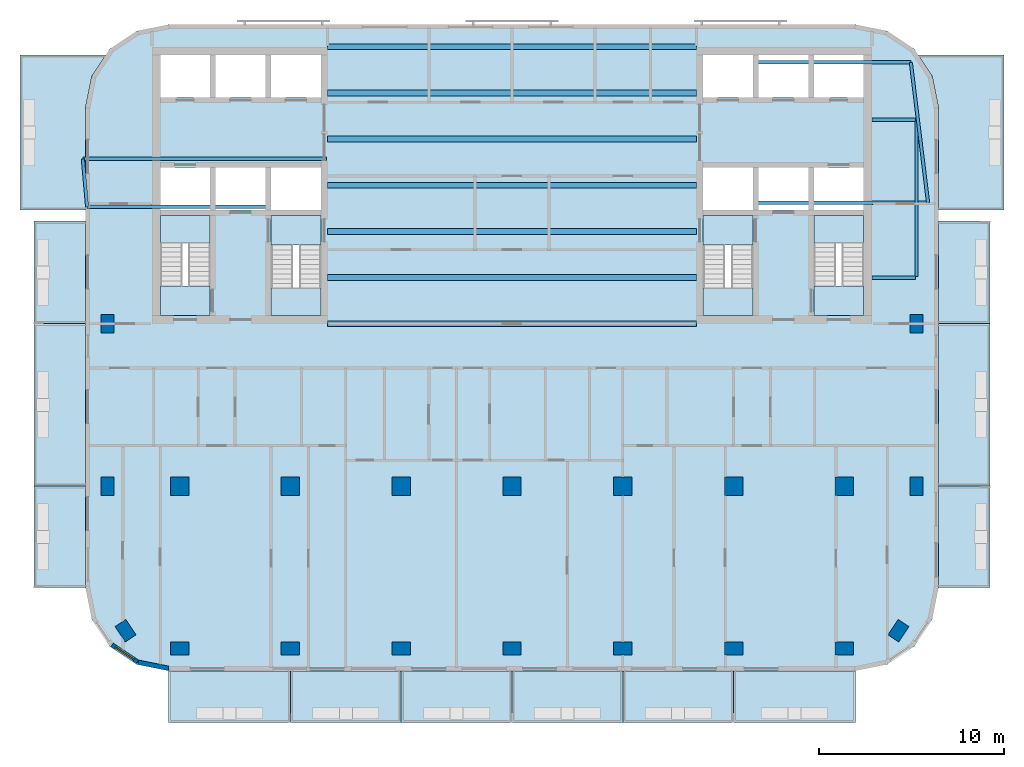
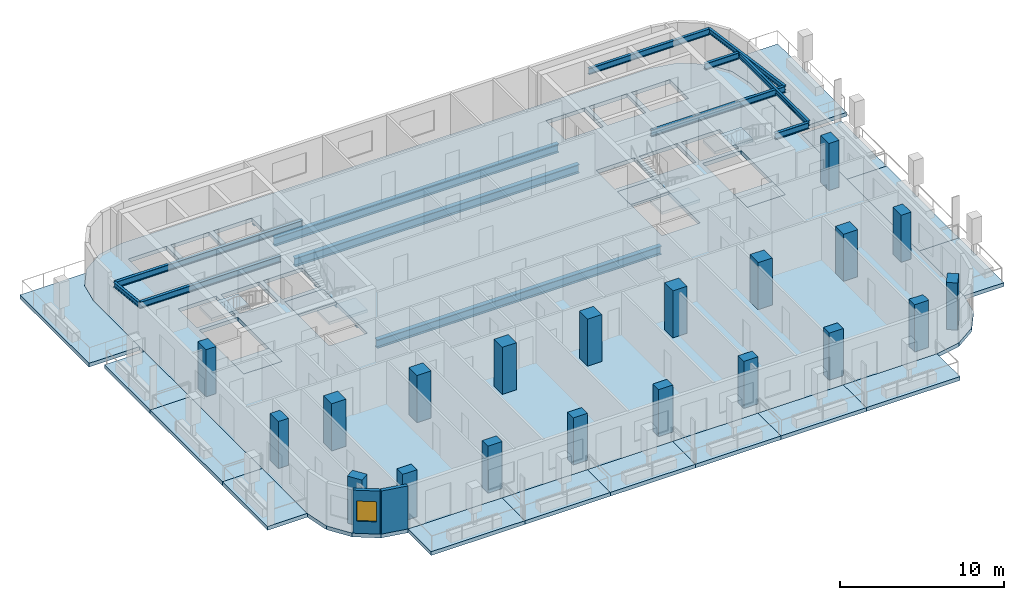
# One storey, part 1 of 11: 23 slabs, 20 columns, 16 beams, 2 walls, 1 window, 1 opening, 4 elements without a shape of their own.
"""IFC4 building model written with IfcOpenShell, lengths in metres."""

from ifc_helpers import new_model, si_unit, direction, frame, frame_2d, origin, origin_2d, place, context, subcontext, project, spatial, polyline, rectangle, i_section, outline, extrude, material, layer, layer_set, material_profile, profile_set, type_object, element, fill, aggregate, save


model = new_model("IFC4")

# Units and contexts
model_context = context("Model", 3, precision=1e-05, world=origin(), true_north=direction((0.0, 1.0)))
body_context = subcontext(model_context, "Body", "Model", "MODEL_VIEW")
ifc_project = project(units=[si_unit("LENGTHUNIT", "METRE"), si_unit("AREAUNIT", "SQUARE_METRE"), si_unit("VOLUMEUNIT", "CUBIC_METRE"), si_unit("PLANEANGLEUNIT", "RADIAN"), si_unit("MASSUNIT", "GRAM", prefix="KILO")], contexts=[model_context])

# Site, building, storey
site_placement = place(None, origin())
site = spatial("IfcSite", under=ifc_project, at=site_placement, CompositionType="ELEMENT")
building_placement = place(site_placement, origin())
building = spatial("IfcBuilding", under=site, at=building_placement, Name="Torana Hotel and Residences", CompositionType="ELEMENT")
storey_placement = place(building_placement, frame((0.0, 0.0, 305.10009765625)))
storey = spatial("IfcBuildingStorey", under=building, at=storey_placement, Name="L81", CompositionType="ELEMENT", Elevation=305.10009765625)

# Columns
ifc_material_1 = material(Name="Concrete C50/60", Category="concrete")
ifc_material_profile_1 = material_profile(ifc_material_1, rectangle(XDim=1.0, YDim=1.0, at=origin_2d()), Name="RC 1000x1000")
ifc_profile_set_1 = profile_set([ifc_material_profile_1], Name="Concrete C50/60")
column_type_1 = type_object("IfcColumnType", Name="COLUMN RC 1000x1000 C50/60", PredefinedType="COLUMN", material=ifc_profile_set_1)
for number, where, z_axis, x_axis, name in (
    (1, (-18.0, -23.800048828125, 0.0), (0.0, 0.0, 1.0), (1.0, 0.0, 0.0), "Column L81"),
    (2, (-12.0, -23.800048828125, 0.0), (0.0, 0.0, 1.0), (1.0, 0.0, 0.0), "Column L81"),
    (3, (-6.0, -23.800048828125, 0.0), (0.0, 0.0, 1.0), (1.0, 0.0, 0.0), "Column L81"),
    (4, (0.0, -23.800048828125, 0.0), (0.0, 0.0, 1.0), (1.0, 0.0, 0.0), "Column L81"),
    (5, (6.0, -23.800048828125, 0.0), (0.0, 0.0, 1.0), (1.0, 0.0, 0.0), "Column L81"),
    (6, (12.0, -23.800048828125, 0.0), (0.0, 0.0, 1.0), (1.0, 0.0, 0.0), "Column L81"),
    (7, (18.0, -23.800048828125, 0.0), (0.0, 0.0, 1.0), (1.0, 0.0, 0.0), "Column L81"),
):
    element("IfcColumn", number, at=place(storey_placement, frame(where, z_axis=z_axis, x_axis=x_axis)), inside=storey, type_object=column_type_1, Name=name, PredefinedType="COLUMN", context=body_context, shape_type="SweptSolid", body=[
        extrude(rectangle(XDim=1.0, YDim=1.0, at=origin_2d()), origin(), (0.0, 0.0, 1.0), 3.5),
    ])
ifc_material_2 = material(Name="Concrete C50/60", Category="concrete")
ifc_material_profile_2 = material_profile(ifc_material_2, rectangle(XDim=1.0, YDim=0.699951171875, at=origin_2d()), Name="RC 1000x700")
ifc_profile_set_2 = profile_set([ifc_material_profile_2], Name="Concrete C50/60")
column_type_2 = type_object("IfcColumnType", Name="COLUMN RC 1000x700 C50/60", PredefinedType="COLUMN", material=ifc_profile_set_2)
for number, where, z_axis, x_axis, name in (
    (8, (-21.89990234375, -23.800048828125, 0.0), (0.0, 0.0, 1.0), (0.0, 1.0, 0.0), "Column L81"),
    (9, (-21.89990234375, -15.0, 0.0), (0.0, 0.0, 1.0), (0.0, 1.0, 0.0), "Column L81"),
    (10, (-20.93310546875, -31.633056640625, 0.0), (0.0, 0.0, 1.0), (-0.555584744817, 0.831459915646, 0.0), "Column L81"),
    (11, (-18.0, -32.60009765625, 0.0), (0.0, 0.0, 1.0), (1.0, 0.0, 0.0), "Column L81"),
    (12, (-12.0, -32.60009765625, 0.0), (0.0, 0.0, 1.0), (1.0, 0.0, 0.0), "Column L81"),
    (13, (-6.0, -32.60009765625, 0.0), (0.0, 0.0, 1.0), (1.0, 0.0, 0.0), "Column L81"),
    (14, (0.0, -32.60009765625, 0.0), (0.0, 0.0, 1.0), (1.0, 0.0, 0.0), "Column L81"),
    (15, (6.0, -32.60009765625, 0.0), (0.0, 0.0, 1.0), (1.0, 0.0, 0.0), "Column L81"),
    (16, (12.0, -32.60009765625, 0.0), (0.0, 0.0, 1.0), (1.0, 0.0, 0.0), "Column L81"),
    (17, (18.0, -32.60009765625, 0.0), (0.0, 0.0, 1.0), (1.0, 0.0, 0.0), "Column L81"),
    (18, (20.93310546875, -31.633056640625, 0.0), (0.0, 0.0, 1.0), (0.555584744817, 0.831459915646, 0.0), "Column L81"),
    (19, (21.89990234375, -23.800048828125, 0.0), (0.0, 0.0, 1.0), (0.0, 1.0, 0.0), "Column L81"),
    (20, (21.89990234375, -15.0, 0.0), (0.0, 0.0, 1.0), (0.0, 1.0, 0.0), "Column L81"),
):
    element("IfcColumn", number, at=place(storey_placement, frame(where, z_axis=z_axis, x_axis=x_axis)), inside=storey, type_object=column_type_2, Name=name, PredefinedType="COLUMN", context=body_context, shape_type="SweptSolid", body=[
        extrude(rectangle(XDim=1.0, YDim=0.699951171875, at=origin_2d()), origin(), (0.0, 0.0, 1.0), 3.5),
    ])

# Beams
ifc_material_3 = material(Name="Steel S355", Category="steel")
ifc_material_profile_3 = material_profile(ifc_material_3, i_section(OverallWidth=0.19287109375, OverallDepth=0.46728515625, WebThickness=0.011474609375, FlangeThickness=0.01953125, FilletRadius=0.01025390625, at=origin_2d()), Name="457x191x98 UB")
ifc_profile_set_3 = profile_set([ifc_material_profile_3], Name="Steel S355")
beam_type_1 = type_object("IfcBeamType", Name="BALCONY CANTILEVER BEAM 457x191x98 UB", PredefinedType="BEAM", material=ifc_profile_set_3)
beam_1_placement = place(storey_placement, frame((-23.013916015625, -8.669921875, 2.96630859375), z_axis=(1.0, 0.0, 0.0), x_axis=(0.0, 1.0, 0.0)))
element("IfcBeam", 21, at=beam_1_placement, inside=storey, type_object=beam_type_1, Name="Balcony cantilever beam", PredefinedType="BEAM", context=body_context, shape_type="SweptSolid", body=[
    extrude(i_section(OverallWidth=0.19287109375, OverallDepth=0.46728515625, WebThickness=0.011474609375, FlangeThickness=0.01953125, FilletRadius=0.01025390625, at=origin_2d()), origin(), (0.0, 0.0, 1.0), 9.913818359375),
])
beam_2_placement = place(storey_placement, frame((-23.2451171875, -6.070068359375, 2.96630859375), z_axis=(1.0, 0.0, 0.0), x_axis=(0.0, 1.0, 0.0)))
element("IfcBeam", 22, at=beam_2_placement, inside=storey, type_object=beam_type_1, Name="Balcony cantilever beam", PredefinedType="BEAM", context=body_context, shape_type="SweptSolid", body=[
    extrude(i_section(OverallWidth=0.19287109375, OverallDepth=0.46728515625, WebThickness=0.011474609375, FlangeThickness=0.01953125, FilletRadius=0.01025390625, at=origin_2d()), origin(), (0.0, 0.0, 1.0), 13.195068359375),
])
beam_3_placement = place(storey_placement, frame((22.537353515625, -8.449951171875, 2.96630859375), z_axis=(-1.0, 0.0, 0.0), x_axis=(0.0, -1.0, 0.0)))
element("IfcBeam", 23, at=beam_3_placement, inside=storey, type_object=beam_type_1, Name="Balcony cantilever beam", PredefinedType="BEAM", context=body_context, shape_type="SweptSolid", body=[
    extrude(i_section(OverallWidth=0.19287109375, OverallDepth=0.46728515625, WebThickness=0.011474609375, FlangeThickness=0.01953125, FilletRadius=0.01025390625, at=origin_2d()), origin(), (0.0, 0.0, 1.0), 9.437255859375),
])
beam_4_placement = place(storey_placement, frame((21.60400390625, -0.85009765625, 2.96630859375), z_axis=(-1.0, 0.0, 0.0), x_axis=(0.0, -1.0, 0.0)))
element("IfcBeam", 24, at=beam_4_placement, inside=storey, type_object=beam_type_1, Name="Balcony cantilever beam", PredefinedType="BEAM", context=body_context, shape_type="SweptSolid", body=[
    extrude(i_section(OverallWidth=0.19287109375, OverallDepth=0.46728515625, WebThickness=0.011474609375, FlangeThickness=0.01953125, FilletRadius=0.01025390625, at=origin_2d()), origin(), (0.0, 0.0, 1.0), 8.50390625),
])
for number, where, z_axis, x_axis, name in (
    (25, (19.489990234375, -12.50244140625, 2.96630859375), (1.0, 0.0, 0.0), (0.0, 1.0, 0.0), "Balcony cantilever beam"),
    (26, (19.489990234375, -3.949951171875, 2.96630859375), (1.0, 0.0, 0.0), (0.0, 1.0, 0.0), "Balcony cantilever beam"),
):
    element("IfcBeam", number, at=place(storey_placement, frame(where, z_axis=z_axis, x_axis=x_axis)), inside=storey, type_object=beam_type_1, Name=name, PredefinedType="BEAM", context=body_context, shape_type="SweptSolid", body=[
        extrude(i_section(OverallWidth=0.19287109375, OverallDepth=0.46728515625, WebThickness=0.011474609375, FlangeThickness=0.01953125, FilletRadius=0.01025390625, at=origin_2d()), origin(), (0.0, 0.0, 1.0), 2.364013671875),
    ])
ifc_material_4 = material(Name="Steel S355", Category="steel")
ifc_material_profile_4 = material_profile(ifc_material_4, i_section(OverallWidth=0.173095703125, OverallDepth=0.36328125, WebThickness=0.009033203125, FlangeThickness=0.015625, FilletRadius=0.01025390625, at=origin_2d()), Name="356x171x67 UB")
ifc_profile_set_4 = profile_set([ifc_material_profile_4], Name="Steel S355")
beam_type_2 = type_object("IfcBeamType", Name="BALCONY TIP BEAM 356x171x67 UB", PredefinedType="BEAM", material=ifc_profile_set_4)
beam_5_placement = place(storey_placement, frame((-23.013916015625, -8.669921875, 3.018310546875), z_axis=(-0.088578973765, 0.99606915694, 0.0), x_axis=(-0.99606915694, -0.088578973765, 0.0)))
element("IfcBeam", 27, at=beam_5_placement, inside=storey, type_object=beam_type_2, Name="Balcony tip beam", PredefinedType="BEAM", context=body_context, shape_type="SweptSolid", body=[
    extrude(i_section(OverallWidth=0.173095703125, OverallDepth=0.36328125, WebThickness=0.009033203125, FlangeThickness=0.015625, FilletRadius=0.01025390625, at=origin_2d()), origin(), (0.0, 0.0, 1.0), 2.610107421875),
])
beam_6_placement = place(storey_placement, frame((22.537353515625, -8.449951171875, 3.018310546875), z_axis=(-0.1218957101, 0.992542913863, 0.0), x_axis=(-0.992542913863, -0.1218957101, 0.0)))
element("IfcBeam", 28, at=beam_6_placement, inside=storey, type_object=beam_type_2, Name="Balcony tip beam", PredefinedType="BEAM", context=body_context, shape_type="SweptSolid", body=[
    extrude(i_section(OverallWidth=0.173095703125, OverallDepth=0.36328125, WebThickness=0.009033203125, FlangeThickness=0.015625, FilletRadius=0.01025390625, at=origin_2d()), origin(), (0.0, 0.0, 1.0), 7.656982421875),
])
beam_7_placement = place(storey_placement, frame((21.91064453125, -12.43603515625, 3.018310546875), z_axis=(0.0, 1.0, 0.0), x_axis=(-1.0, 0.0, 0.0)))
element("IfcBeam", 29, at=beam_7_placement, inside=storey, type_object=beam_type_2, Name="Balcony tip beam", PredefinedType="BEAM", context=body_context, shape_type="SweptSolid", body=[
    extrude(i_section(OverallWidth=0.173095703125, OverallDepth=0.36328125, WebThickness=0.009033203125, FlangeThickness=0.015625, FilletRadius=0.01025390625, at=origin_2d()), origin(), (0.0, 0.0, 1.0), 8.419677734375),
])
ifc_material_5 = material(Name="Steel S355", Category="steel")
ifc_material_profile_5 = material_profile(ifc_material_5, i_section(OverallWidth=0.311279296875, OverallDepth=0.6357421875, WebThickness=0.018310546875, FlangeThickness=0.031494140625, FilletRadius=0.0166015625, at=origin_2d()), Name="610x305x238 UB")
ifc_profile_set_5 = profile_set([ifc_material_profile_5], Name="Steel S355")
beam_type_3 = type_object("IfcBeamType", Name="STEEL GIRDER 610x305x238 UB", PredefinedType="BEAM", material=ifc_profile_set_5)
for number, where, z_axis, x_axis, name in (
    (30, (-10.0, -15.0, -0.597900390625), (1.0, 0.0, 0.0), (0.0, 1.0, 0.0), "Floor girder"),
    (31, (-10.0, -12.5, -0.597900390625), (1.0, 0.0, 0.0), (0.0, 1.0, 0.0), "Floor girder"),
    (32, (-10.0, -10.0, -0.597900390625), (1.0, 0.0, 0.0), (0.0, 1.0, 0.0), "Floor girder"),
    (33, (-10.0, -7.5, -0.597900390625), (1.0, 0.0, 0.0), (0.0, 1.0, 0.0), "Floor girder"),
    (34, (-10.0, -5.0, -0.597900390625), (1.0, 0.0, 0.0), (0.0, 1.0, 0.0), "Floor girder"),
    (35, (-10.0, -2.5, -0.597900390625), (1.0, 0.0, 0.0), (0.0, 1.0, 0.0), "Floor girder"),
    (36, (-10.0, 0.0, -0.597900390625), (1.0, 0.0, 0.0), (0.0, 1.0, 0.0), "Floor girder"),
):
    element("IfcBeam", number, at=place(storey_placement, frame(where, z_axis=z_axis, x_axis=x_axis)), inside=storey, type_object=beam_type_3, Name=name, PredefinedType="BEAM", context=body_context, shape_type="SweptSolid", body=[
        extrude(i_section(OverallWidth=0.311279296875, OverallDepth=0.6357421875, WebThickness=0.018310546875, FlangeThickness=0.031494140625, FilletRadius=0.0166015625, at=origin_2d()), origin(), (0.0, 0.0, 1.0), 20.0),
    ])

# Slabs
ifc_material_6 = material(Name="Concrete C40/50", Category="concrete")
ifc_layer_1 = layer(ifc_material_6, 0.280029296875)
ifc_layer_set_1 = layer_set([ifc_layer_1], Name="BAL1 BALCONY SLAB 280")
slab_type_1 = type_object("IfcSlabType", Name="BAL1 BALCONY SLAB 280", PredefinedType="USERDEFINED", material=ifc_layer_set_1)
slab_1_placement = place(storey_placement, frame((0.0, 0.0, -0.280029296875)))
element("IfcSlab", 37, at=slab_1_placement, inside=storey, type_object=slab_type_1, Name="Balcony 01", ObjectType="BALCONY", PredefinedType="USERDEFINED", context=body_context, shape_type="SweptSolid", body=[
    extrude(outline(polyline([(-18.60009765625, -36.60009765625), (-12.0, -36.60009765625), (-12.0, -33.800048828125), (-18.60009765625, -33.800048828125), (-18.60009765625, -36.60009765625)])), origin(), (0.0, 0.0, 1.0), 0.280029296875),
])
slab_2_placement = place(storey_placement, frame((0.0, 0.0, -0.280029296875)))
element("IfcSlab", 38, at=slab_2_placement, inside=storey, type_object=slab_type_1, Name="Balcony 02", ObjectType="BALCONY", PredefinedType="USERDEFINED", context=body_context, shape_type="SweptSolid", body=[
    extrude(outline(polyline([(-12.0, -36.60009765625), (-6.0, -36.60009765625), (-6.0, -33.800048828125), (-12.0, -33.800048828125), (-12.0, -36.60009765625)])), origin(), (0.0, 0.0, 1.0), 0.280029296875),
])
slab_3_placement = place(storey_placement, frame((0.0, 0.0, -0.280029296875)))
element("IfcSlab", 39, at=slab_3_placement, inside=storey, type_object=slab_type_1, Name="Balcony 03", ObjectType="BALCONY", PredefinedType="USERDEFINED", context=body_context, shape_type="SweptSolid", body=[
    extrude(outline(polyline([(-6.0, -36.60009765625), (0.0, -36.60009765625), (0.0, -33.800048828125), (-6.0, -33.800048828125), (-6.0, -36.60009765625)])), origin(), (0.0, 0.0, 1.0), 0.280029296875),
])
slab_4_placement = place(storey_placement, frame((0.0, 0.0, -0.280029296875)))
element("IfcSlab", 40, at=slab_4_placement, inside=storey, type_object=slab_type_1, Name="Balcony 04", ObjectType="BALCONY", PredefinedType="USERDEFINED", context=body_context, shape_type="SweptSolid", body=[
    extrude(outline(polyline([(0.0, -36.60009765625), (6.0, -36.60009765625), (6.0, -33.800048828125), (0.0, -33.800048828125), (0.0, -36.60009765625)])), origin(), (0.0, 0.0, 1.0), 0.280029296875),
])
slab_5_placement = place(storey_placement, frame((0.0, 0.0, -0.280029296875)))
element("IfcSlab", 41, at=slab_5_placement, inside=storey, type_object=slab_type_1, Name="Balcony 05", ObjectType="BALCONY", PredefinedType="USERDEFINED", context=body_context, shape_type="SweptSolid", body=[
    extrude(outline(polyline([(6.0, -36.60009765625), (12.0, -36.60009765625), (12.0, -33.800048828125), (6.0, -33.800048828125), (6.0, -36.60009765625)])), origin(), (0.0, 0.0, 1.0), 0.280029296875),
])
slab_6_placement = place(storey_placement, frame((0.0, 0.0, -0.280029296875)))
element("IfcSlab", 42, at=slab_6_placement, inside=storey, type_object=slab_type_1, Name="Balcony 06", ObjectType="BALCONY", PredefinedType="USERDEFINED", context=body_context, shape_type="SweptSolid", body=[
    extrude(outline(polyline([(12.0, -36.60009765625), (18.60009765625, -36.60009765625), (18.60009765625, -33.800048828125), (12.0, -33.800048828125), (12.0, -36.60009765625)])), origin(), (0.0, 0.0, 1.0), 0.280029296875),
])
slab_7_placement = place(storey_placement, frame((0.0, 0.0, -0.280029296875)))
element("IfcSlab", 43, at=slab_7_placement, inside=storey, type_object=slab_type_1, Name="Balcony 07", ObjectType="BALCONY", PredefinedType="USERDEFINED", context=body_context, shape_type="SweptSolid", body=[
    extrude(outline(polyline([(-25.89990234375, -29.300048828125), (-23.10009765625, -29.300048828125), (-23.10009765625, -23.800048828125), (-25.89990234375, -23.800048828125), (-25.89990234375, -29.300048828125)])), origin(), (0.0, 0.0, 1.0), 0.280029296875),
])
slab_8_placement = place(storey_placement, frame((0.0, 0.0, -0.280029296875)))
element("IfcSlab", 44, at=slab_8_placement, inside=storey, type_object=slab_type_1, Name="Balcony 08", ObjectType="BALCONY", PredefinedType="USERDEFINED", context=body_context, shape_type="SweptSolid", body=[
    extrude(outline(polyline([(-25.89990234375, -23.800048828125), (-23.10009765625, -23.800048828125), (-23.10009765625, -15.0), (-25.89990234375, -15.0), (-25.89990234375, -23.800048828125)])), origin(), (0.0, 0.0, 1.0), 0.280029296875),
])
slab_9_placement = place(storey_placement, frame((0.0, 0.0, -0.280029296875)))
element("IfcSlab", 45, at=slab_9_placement, inside=storey, type_object=slab_type_1, Name="Balcony 09", ObjectType="BALCONY", PredefinedType="USERDEFINED", context=body_context, shape_type="SweptSolid", body=[
    extrude(outline(polyline([(-25.89990234375, -15.0), (-23.10009765625, -15.0), (-23.10009765625, -9.449951171875), (-25.89990234375, -9.449951171875), (-25.89990234375, -15.0)])), origin(), (0.0, 0.0, 1.0), 0.280029296875),
])
slab_10_placement = place(storey_placement, frame((0.0, 0.0, -0.280029296875)))
element("IfcSlab", 46, at=slab_10_placement, inside=storey, type_object=slab_type_1, Name="Balcony 10", ObjectType="BALCONY", PredefinedType="USERDEFINED", context=body_context, shape_type="SweptSolid", body=[
    extrude(outline(polyline([(-26.64990234375, -8.85009765625), (-23.10009765625, -8.85009765625), (-23.10009765625, -3.300048828125), (-22.757568359375, -1.577880859375), (-22.00390625, -0.449951171875), (-26.64990234375, -0.449951171875), (-26.64990234375, -8.85009765625)])), origin(), (0.0, 0.0, 1.0), 0.280029296875),
])
slab_11_placement = place(storey_placement, frame((0.0, 0.0, -0.280029296875)))
element("IfcSlab", 47, at=slab_11_placement, inside=storey, type_object=slab_type_1, Name="Balcony 11", ObjectType="BALCONY", PredefinedType="USERDEFINED", context=body_context, shape_type="SweptSolid", body=[
    extrude(outline(polyline([(23.10009765625, -29.300048828125), (25.89990234375, -29.300048828125), (25.89990234375, -23.800048828125), (23.10009765625, -23.800048828125), (23.10009765625, -29.300048828125)])), origin(), (0.0, 0.0, 1.0), 0.280029296875),
])
slab_12_placement = place(storey_placement, frame((0.0, 0.0, -0.280029296875)))
element("IfcSlab", 48, at=slab_12_placement, inside=storey, type_object=slab_type_1, Name="Balcony 12", ObjectType="BALCONY", PredefinedType="USERDEFINED", context=body_context, shape_type="SweptSolid", body=[
    extrude(outline(polyline([(23.10009765625, -23.800048828125), (25.89990234375, -23.800048828125), (25.89990234375, -15.0), (23.10009765625, -15.0), (23.10009765625, -23.800048828125)])), origin(), (0.0, 0.0, 1.0), 0.280029296875),
])
slab_13_placement = place(storey_placement, frame((0.0, 0.0, -0.280029296875)))
element("IfcSlab", 49, at=slab_13_placement, inside=storey, type_object=slab_type_1, Name="Balcony 13", ObjectType="BALCONY", PredefinedType="USERDEFINED", context=body_context, shape_type="SweptSolid", body=[
    extrude(outline(polyline([(23.10009765625, -15.0), (25.89990234375, -15.0), (25.89990234375, -9.449951171875), (23.10009765625, -9.449951171875), (23.10009765625, -15.0)])), origin(), (0.0, 0.0, 1.0), 0.280029296875),
])
slab_14_placement = place(storey_placement, frame((0.0, 0.0, -0.280029296875)))
element("IfcSlab", 50, at=slab_14_placement, inside=storey, type_object=slab_type_1, Name="Balcony 14", ObjectType="BALCONY", PredefinedType="USERDEFINED", context=body_context, shape_type="SweptSolid", body=[
    extrude(outline(polyline([(23.10009765625, -8.85009765625), (26.64990234375, -8.85009765625), (26.64990234375, -0.449951171875), (22.00390625, -0.449951171875), (22.757568359375, -1.577880859375), (23.10009765625, -3.300048828125), (23.10009765625, -8.85009765625)])), origin(), (0.0, 0.0, 1.0), 0.280029296875),
])
ifc_material_7 = material(Name="Concrete C40/50", Category="concrete")
ifc_layer_2 = layer(ifc_material_7, 0.280029296875)
ifc_layer_set_2 = layer_set([ifc_layer_2], Name="FLOOR SLAB PT 280")
slab_type_2 = type_object("IfcSlabType", Name="FLOOR SLAB PT 280", PredefinedType="FLOOR", material=ifc_layer_set_2)
slab_15_placement = place(storey_placement, frame((0.0, 0.0, -0.280029296875)))
element("IfcSlab", 51, at=slab_15_placement, inside=storey, type_object=slab_type_2, Name="Floor slab", PredefinedType="FLOOR", context=body_context, shape_type="SweptSolid", body=[
    extrude(outline(polyline([(23.10009765625, -3.300048828125), (22.757568359375, -1.577880859375), (21.781982421875, -0.117919921875), (20.322021484375, 0.857421875), (18.60009765625, 1.199951171875), (-18.60009765625, 1.199951171875), (-20.322021484375, 0.857421875), (-21.781982421875, -0.117919921875), (-22.757568359375, -1.577880859375), (-23.10009765625, -3.300048828125), (-23.10009765625, -29.300048828125), (-22.757568359375, -31.022216796875), (-21.781982421875, -32.48193359375), (-20.322021484375, -33.45751953125), (-18.60009765625, -33.800048828125), (18.60009765625, -33.800048828125), (20.322021484375, -33.45751953125), (21.781982421875, -32.48193359375), (22.757568359375, -31.022216796875), (23.10009765625, -29.300048828125), (23.10009765625, -3.300048828125)]), holes=[polyline([(-13.050048828125, -14.550048828125), (-10.35009765625, -14.550048828125), (-10.35009765625, -9.14990234375), (-13.050048828125, -9.14990234375), (-13.050048828125, -14.550048828125)]), polyline([(-19.050048828125, -14.550048828125), (-16.35009765625, -14.550048828125), (-16.35009765625, -9.14990234375), (-19.050048828125, -9.14990234375), (-19.050048828125, -14.550048828125)]), polyline([(-19.050048828125, -2.75), (-16.35009765625, -2.75), (-16.35009765625, -0.449951171875), (-19.050048828125, -0.449951171875), (-19.050048828125, -2.75)]), polyline([(-13.050048828125, -2.75), (-10.35009765625, -2.75), (-10.35009765625, -0.449951171875), (-13.050048828125, -0.449951171875), (-13.050048828125, -2.75)]), polyline([(-16.050048828125, -2.75), (-13.35009765625, -2.75), (-13.35009765625, -0.449951171875), (-16.050048828125, -0.449951171875), (-16.050048828125, -2.75)]), polyline([(-13.050048828125, -8.85009765625), (-10.35009765625, -8.85009765625), (-10.35009765625, -6.550048828125), (-13.050048828125, -6.550048828125), (-13.050048828125, -8.85009765625)]), polyline([(-16.050048828125, -8.85009765625), (-13.35009765625, -8.85009765625), (-13.35009765625, -6.550048828125), (-16.050048828125, -6.550048828125), (-16.050048828125, -8.85009765625)]), polyline([(-19.050048828125, -8.85009765625), (-16.35009765625, -8.85009765625), (-16.35009765625, -6.550048828125), (-19.050048828125, -6.550048828125), (-19.050048828125, -8.85009765625)]), polyline([(10.35009765625, -14.550048828125), (13.050048828125, -14.550048828125), (13.050048828125, -9.14990234375), (10.35009765625, -9.14990234375), (10.35009765625, -14.550048828125)]), polyline([(16.35009765625, -14.550048828125), (19.050048828125, -14.550048828125), (19.050048828125, -9.14990234375), (16.35009765625, -9.14990234375), (16.35009765625, -14.550048828125)]), polyline([(16.35009765625, -2.75), (19.050048828125, -2.75), (19.050048828125, -0.449951171875), (16.35009765625, -0.449951171875), (16.35009765625, -2.75)]), polyline([(10.35009765625, -2.75), (13.050048828125, -2.75), (13.050048828125, -0.449951171875), (10.35009765625, -0.449951171875), (10.35009765625, -2.75)]), polyline([(13.35009765625, -2.75), (16.050048828125, -2.75), (16.050048828125, -0.449951171875), (13.35009765625, -0.449951171875), (13.35009765625, -2.75)]), polyline([(10.35009765625, -8.85009765625), (13.050048828125, -8.85009765625), (13.050048828125, -6.550048828125), (10.35009765625, -6.550048828125), (10.35009765625, -8.85009765625)]), polyline([(13.35009765625, -8.85009765625), (16.050048828125, -8.85009765625), (16.050048828125, -6.550048828125), (13.35009765625, -6.550048828125), (13.35009765625, -8.85009765625)]), polyline([(16.35009765625, -8.85009765625), (19.050048828125, -8.85009765625), (19.050048828125, -6.550048828125), (16.35009765625, -6.550048828125), (16.35009765625, -8.85009765625)])]), origin(), (0.0, 0.0, 1.0), 0.280029296875),
])

# Stair, slabs
ifc_material_8 = material(Name="Concrete C40/50 precast", Category="concrete")
stair_type_1 = type_object("IfcStairType", Name="STAIR ST1 HALF TURN 1200", PredefinedType="HALF_TURN_STAIR", material=ifc_material_8)
stair_1_placement = place(storey_placement, origin())
stair_1 = element("IfcStair", 52, at=stair_1_placement, inside=storey, type_object=stair_type_1, Name="Stair ST1 L81", PredefinedType="HALF_TURN_STAIR")
ifc_material_9 = material(Name="Concrete C40/50 precast", Category="concrete")
ifc_layer_3 = layer(ifc_material_9, 0.199951171875)
ifc_layer_set_3 = layer_set([ifc_layer_3], Name="STAIR LANDING 200")
slab_type_3 = type_object("IfcSlabType", Name="STAIR LANDING 200", PredefinedType="LANDING", material=ifc_layer_set_3)
slab_16_placement = place(storey_placement, frame((0.0, 0.0, 1.5498046875)))
slab_16 = element("IfcSlab", 53, at=slab_16_placement, type_object=slab_type_3, Name="ST1 landing 1", PredefinedType="LANDING", context=body_context, shape_type="SweptSolid", body=[
    extrude(outline(polyline([(-13.050048828125, -14.550048828125), (-10.35009765625, -14.550048828125), (-10.35009765625, -13.090087890625), (-13.050048828125, -13.090087890625), (-13.050048828125, -14.550048828125)])), origin(), (0.0, 0.0, 1.0), 0.2001953125),
])
slab_17_placement = place(storey_placement, frame((0.0, 0.0, -0.2001953125)))
slab_17 = element("IfcSlab", 54, at=slab_17_placement, type_object=slab_type_3, Name="ST1 landing 2", PredefinedType="LANDING", context=body_context, shape_type="SweptSolid", body=[
    extrude(outline(polyline([(-13.050048828125, -10.75), (-10.35009765625, -10.75), (-10.35009765625, -9.14990234375), (-13.050048828125, -9.14990234375), (-13.050048828125, -10.75)])), origin(), (0.0, 0.0, 1.0), 0.2001953125),
])
aggregate(stair_1, [slab_16, slab_17])

ifc_material_10 = material(Name="Concrete C40/50 precast", Category="concrete")
stair_type_2 = type_object("IfcStairType", Name="STAIR ST2 HALF TURN 1200", PredefinedType="HALF_TURN_STAIR", material=ifc_material_10)
stair_2_placement = place(storey_placement, origin())
stair_2 = element("IfcStair", 55, at=stair_2_placement, inside=storey, type_object=stair_type_2, Name="Stair ST2 L81", PredefinedType="HALF_TURN_STAIR")
slab_18_placement = place(storey_placement, frame((0.0, 0.0, 1.5498046875)))
slab_18 = element("IfcSlab", 56, at=slab_18_placement, type_object=slab_type_3, Name="ST2 landing 1", PredefinedType="LANDING", context=body_context, shape_type="SweptSolid", body=[
    extrude(outline(polyline([(-19.050048828125, -10.610107421875), (-16.35009765625, -10.610107421875), (-16.35009765625, -9.14990234375), (-19.050048828125, -9.14990234375), (-19.050048828125, -10.610107421875)])), origin(), (0.0, 0.0, 1.0), 0.2001953125),
])
slab_19_placement = place(storey_placement, frame((0.0, 0.0, -0.2001953125)))
slab_19 = element("IfcSlab", 57, at=slab_19_placement, type_object=slab_type_3, Name="ST2 landing 2", PredefinedType="LANDING", context=body_context, shape_type="SweptSolid", body=[
    extrude(outline(polyline([(-19.050048828125, -14.550048828125), (-16.35009765625, -14.550048828125), (-16.35009765625, -12.949951171875), (-19.050048828125, -12.949951171875), (-19.050048828125, -14.550048828125)])), origin(), (0.0, 0.0, 1.0), 0.2001953125),
])
aggregate(stair_2, [slab_18, slab_19])

ifc_material_11 = material(Name="Concrete C40/50 precast", Category="concrete")
stair_type_3 = type_object("IfcStairType", Name="STAIR ST3 HALF TURN 1200", PredefinedType="HALF_TURN_STAIR", material=ifc_material_11)
stair_3_placement = place(storey_placement, origin())
stair_3 = element("IfcStair", 58, at=stair_3_placement, inside=storey, type_object=stair_type_3, Name="Stair ST3 L81", PredefinedType="HALF_TURN_STAIR")
slab_20_placement = place(storey_placement, frame((0.0, 0.0, 1.5498046875)))
slab_20 = element("IfcSlab", 59, at=slab_20_placement, type_object=slab_type_3, Name="ST3 landing 1", PredefinedType="LANDING", context=body_context, shape_type="SweptSolid", body=[
    extrude(outline(polyline([(10.35009765625, -14.550048828125), (13.050048828125, -14.550048828125), (13.050048828125, -13.090087890625), (10.35009765625, -13.090087890625), (10.35009765625, -14.550048828125)])), origin(), (0.0, 0.0, 1.0), 0.2001953125),
])
slab_21_placement = place(storey_placement, frame((0.0, 0.0, -0.2001953125)))
slab_21 = element("IfcSlab", 60, at=slab_21_placement, type_object=slab_type_3, Name="ST3 landing 2", PredefinedType="LANDING", context=body_context, shape_type="SweptSolid", body=[
    extrude(outline(polyline([(10.35009765625, -10.75), (13.050048828125, -10.75), (13.050048828125, -9.14990234375), (10.35009765625, -9.14990234375), (10.35009765625, -10.75)])), origin(), (0.0, 0.0, 1.0), 0.2001953125),
])
aggregate(stair_3, [slab_20, slab_21])

ifc_material_12 = material(Name="Concrete C40/50 precast", Category="concrete")
stair_type_4 = type_object("IfcStairType", Name="STAIR ST4 HALF TURN 1200", PredefinedType="HALF_TURN_STAIR", material=ifc_material_12)
stair_4_placement = place(storey_placement, origin())
stair_4 = element("IfcStair", 61, at=stair_4_placement, inside=storey, type_object=stair_type_4, Name="Stair ST4 L81", PredefinedType="HALF_TURN_STAIR")
slab_22_placement = place(storey_placement, frame((0.0, 0.0, 1.5498046875)))
slab_22 = element("IfcSlab", 62, at=slab_22_placement, type_object=slab_type_3, Name="ST4 landing 1", PredefinedType="LANDING", context=body_context, shape_type="SweptSolid", body=[
    extrude(outline(polyline([(16.35009765625, -10.610107421875), (19.050048828125, -10.610107421875), (19.050048828125, -9.14990234375), (16.35009765625, -9.14990234375), (16.35009765625, -10.610107421875)])), origin(), (0.0, 0.0, 1.0), 0.2001953125),
])
slab_23_placement = place(storey_placement, frame((0.0, 0.0, -0.2001953125)))
slab_23 = element("IfcSlab", 63, at=slab_23_placement, type_object=slab_type_3, Name="ST4 landing 2", PredefinedType="LANDING", context=body_context, shape_type="SweptSolid", body=[
    extrude(outline(polyline([(16.35009765625, -14.550048828125), (19.050048828125, -14.550048828125), (19.050048828125, -12.949951171875), (16.35009765625, -12.949951171875), (16.35009765625, -14.550048828125)])), origin(), (0.0, 0.0, 1.0), 0.2001953125),
])
aggregate(stair_4, [slab_22, slab_23])

# Wall, opening, window
ifc_material_13 = material(Name="Black aluminium composite panel", Category="aluminium")
ifc_layer_4 = layer(ifc_material_13, 0.00390625, Name="Cladding", Category="cladding")
ifc_material_14 = material(Name="Ventilated air cavity")
ifc_layer_5 = layer(ifc_material_14, 0.0400390625, Name="Ventilated cavity", Category="cavity")
ifc_material_15 = material(Name="Mineral wool insulation")
ifc_layer_6 = layer(ifc_material_15, 0.090087890625, Name="Insulation", Category="insulation")
ifc_material_16 = material(Name="Steel S280GD", Category="steel")
ifc_layer_7 = layer(ifc_material_16, 0.092041015625, Name="Steel stud frame", Category="structure")
ifc_material_17 = material(Name="Fire rated plasterboard")
ifc_layer_8 = layer(ifc_material_17, 0.011962890625, Name="Inner board", Category="finish")
ifc_layer_9 = layer(ifc_material_17, 0.011962890625, Name="Second board", Category="finish")
ifc_layer_set_4 = layer_set([ifc_layer_4, ifc_layer_5, ifc_layer_6, ifc_layer_7, ifc_layer_8, ifc_layer_9], Name="EW1 EXTERNAL WALL BLACK METAL CLAD 250")
wall_type = type_object("IfcWallType", Name="EW1 EXTERNAL WALL BLACK METAL CLAD 250", PredefinedType="SOLIDWALL", material=ifc_layer_set_4)
wall_1_placement = place(storey_placement, frame((-21.671142578125, -32.40576171875, 0.0), z_axis=(0.0, 0.0, 1.0), x_axis=(0.831482937015, -0.55555029066, 0.0)))
wall_1 = element("IfcWall", 64, at=wall_1_placement, inside=storey, type_object=wall_type, Name="External wall L81 e0.12", PredefinedType="SOLIDWALL", context=body_context, shape_type="SweptSolid", body=[
    extrude(rectangle(XDim=1.65625, YDim=0.25, at=frame_2d((0.828125, 0.0))), origin(), (0.0, 0.0, 1.0), 3.199951171875),
])
opening_placement = place(wall_1_placement, frame((0.228271484375, 0.0, 0.89990234375)))
opening = element("IfcOpeningElement", 65, at=opening_placement, cuts=wall_1, Name="Opening W5", PredefinedType="OPENING", context=body_context, shape_type="SweptSolid", body=[
    extrude(rectangle(XDim=1.199951171875, YDim=1.5, at=frame_2d((0.60009765625, 0.75))), frame((0.0, 0.135009765625, 0.0), z_axis=(0.0, -1.0, 0.0), x_axis=(1.0, 0.0, 0.0)), (0.0, 0.0, 1.0), 0.27001953125),
])
ifc_material_18 = material(Name="Dark glass in black aluminium frame", Category="aluminium")
window_type = type_object("IfcWindowType", Name="W5 CORNER FACET WINDOW 1200x1500", PartitioningType="SINGLE_PANEL", PredefinedType="WINDOW", material=ifc_material_18)
window_placement = place(opening_placement, origin())
window = element("IfcWindow", 66, at=window_placement, inside=storey, type_object=window_type, Name="Window L81 e0.12", OverallHeight=1.5, OverallWidth=1.199951171875, PartitioningType="SINGLE_PANEL", PredefinedType="WINDOW", context=body_context, shape_type="SweptSolid", body=[
    extrude(rectangle(XDim=1.199951171875, YDim=1.5, at=frame_2d((0.60009765625, 0.75))), frame((0.0, 0.030029296875, 0.0), z_axis=(0.0, -1.0, 0.0), x_axis=(1.0, 0.0, 0.0)), (0.0, 0.0, 1.0), 0.06005859375),
])
fill(opening, window)

# Wall
wall_2_placement = place(storey_placement, frame((-20.248779296875, -33.344482421875, 0.0), z_axis=(0.0, 0.0, 1.0), x_axis=(0.980770110232, -0.195166572128, 0.0)))
element("IfcWall", 67, at=wall_2_placement, inside=storey, type_object=wall_type, Name="External wall L81 e0.13", PredefinedType="SOLIDWALL", context=body_context, shape_type="SweptSolid", body=[
    extrude(rectangle(XDim=1.68115234375, YDim=0.25, at=frame_2d((0.840576171875, 0.0))), origin(), (0.0, 0.0, 1.0), 3.199951171875),
])

save(model, "model.ifc")
